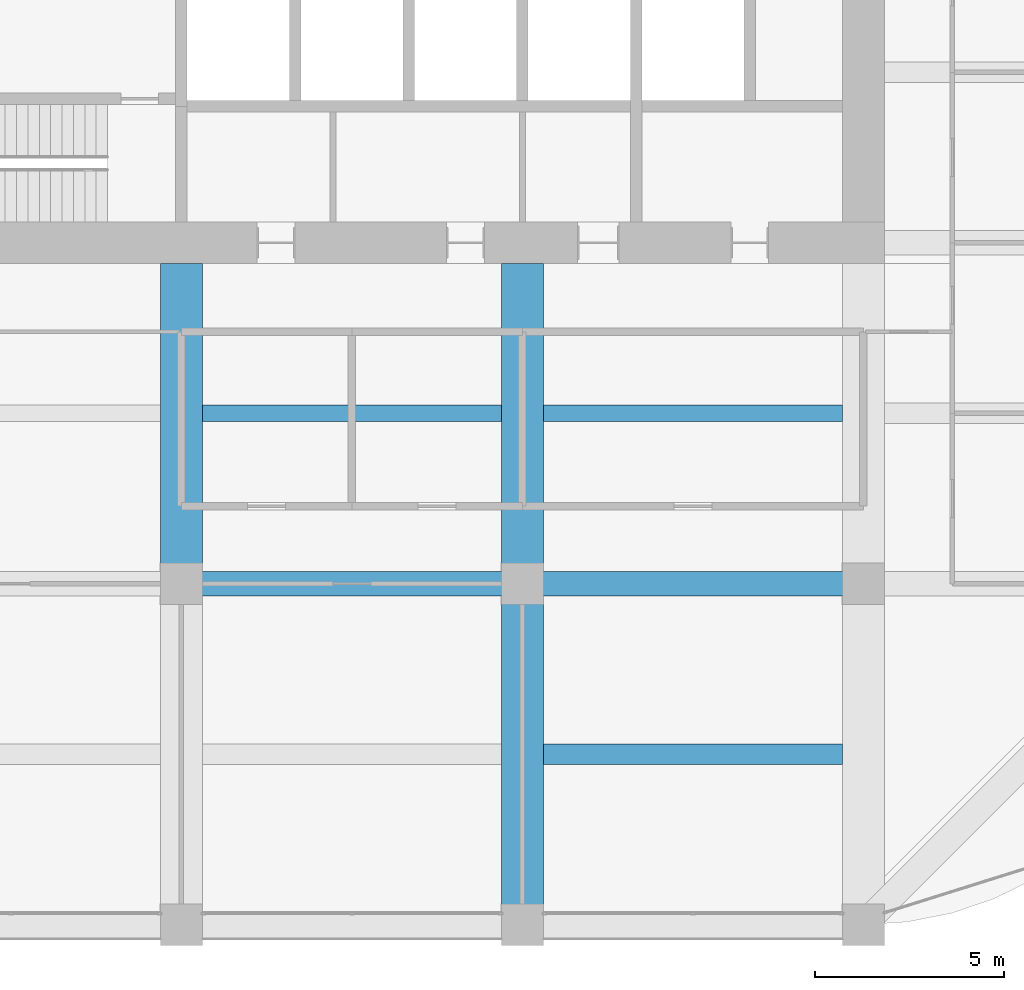
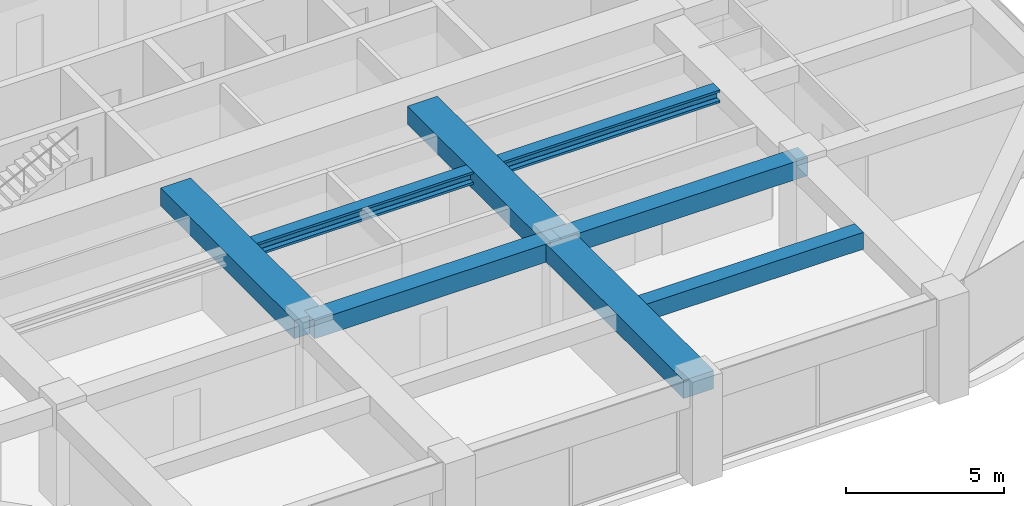
# One storey, part 12 of 44: 8 beams.
"""IFC4 building model written with IfcOpenShell, lengths in metres."""

from ifc_helpers import new_model, si_unit, direction, frame, origin, origin_2d, place, context, subcontext, project, spatial, rectangle, i_section, extrude, material, material_profile, profile_set, type_object, element, save


model = new_model("IFC4")

# Units and contexts
model_context = context("Model", 3, precision=1e-05, world=origin(), true_north=direction((0.0, 1.0)))
body_context = subcontext(model_context, "Body", "Model", "MODEL_VIEW")
ifc_project = project(units=[si_unit("LENGTHUNIT", "METRE"), si_unit("AREAUNIT", "SQUARE_METRE"), si_unit("VOLUMEUNIT", "CUBIC_METRE"), si_unit("PLANEANGLEUNIT", "RADIAN"), si_unit("MASSUNIT", "GRAM", prefix="KILO")], contexts=[model_context])

# Site, building, storey
site_placement = place(None, origin())
site = spatial("IfcSite", under=ifc_project, at=site_placement, CompositionType="ELEMENT")
building_placement = place(site_placement, origin())
building = spatial("IfcBuilding", under=site, at=building_placement, Name="Zorevar Civic Tower", CompositionType="ELEMENT")
storey_placement = place(building_placement, frame((0.0, 0.0, 263.39990234375)))
storey = spatial("IfcBuildingStorey", under=building, at=storey_placement, Name="L64", CompositionType="ELEMENT", Elevation=263.39990234375)

# Beams
ifc_material_1 = material(Name="Concrete C50/60", Category="concrete")
ifc_material_profile_1 = material_profile(ifc_material_1, rectangle(XDim=1.10009765625, YDim=0.699951171875, at=origin_2d()), Name="RC 1100x700")
ifc_profile_set_1 = profile_set([ifc_material_profile_1], Name="Concrete C50/60")
beam_type_1 = type_object("IfcBeamType", Name="Beam RC 1100x700", PredefinedType="BEAM", material=ifc_profile_set_1)
beam_1_placement = place(storey_placement, frame((27.0, 9.0, 3.400146484375), z_axis=(0.0, 1.0, 0.0), x_axis=(-1.0, 0.0, 0.0)))
element("IfcBeam", 1, at=beam_1_placement, inside=storey, type_object=beam_type_1, Name="Girder L65", PredefinedType="BEAM", context=body_context, shape_type="SweptSolid", body=[
    extrude(rectangle(XDim=1.10009765625, YDim=0.699951171875, at=origin_2d()), origin(), (0.0, 0.0, 1.0), 8.449951171875),
])
beam_2_placement = place(storey_placement, frame((36.0, 0.0, 3.400146484375), z_axis=(0.0, 1.0, 0.0), x_axis=(-1.0, 0.0, 0.0)))
element("IfcBeam", 2, at=beam_2_placement, inside=storey, type_object=beam_type_1, Name="Girder L65", PredefinedType="BEAM", context=body_context, shape_type="SweptSolid", body=[
    extrude(rectangle(XDim=1.10009765625, YDim=0.699951171875, at=origin_2d()), origin(), (0.0, 0.0, 1.0), 9.0),
])
beam_3_placement = place(storey_placement, frame((36.0, 9.0, 3.400146484375), z_axis=(0.0, 1.0, 0.0), x_axis=(-1.0, 0.0, 0.0)))
element("IfcBeam", 3, at=beam_3_placement, inside=storey, type_object=beam_type_1, Name="Girder L65", PredefinedType="BEAM", context=body_context, shape_type="SweptSolid", body=[
    extrude(rectangle(XDim=1.10009765625, YDim=0.699951171875, at=origin_2d()), origin(), (0.0, 0.0, 1.0), 8.449951171875),
])
ifc_material_2 = material(Name="Concrete C50/60", Category="concrete")
ifc_material_profile_2 = material_profile(ifc_material_2, rectangle(XDim=0.550048828125, YDim=0.64990234375, at=origin_2d()), Name="RC 550x650")
ifc_profile_set_2 = profile_set([ifc_material_profile_2], Name="Concrete C50/60")
beam_type_2 = type_object("IfcBeamType", Name="Beam RC 550x650", PredefinedType="BEAM", material=ifc_profile_set_2)
beam_4_placement = place(storey_placement, frame((36.550048828125, 4.5, 3.425048828125), z_axis=(1.0, 0.0, 0.0), x_axis=(0.0, 1.0, 0.0)))
element("IfcBeam", 4, at=beam_4_placement, inside=storey, type_object=beam_type_2, Name="Secondary beam L65", PredefinedType="BEAM", context=body_context, shape_type="SweptSolid", body=[
    extrude(rectangle(XDim=0.550048828125, YDim=0.64990234375, at=origin_2d()), origin(), (0.0, 0.0, 1.0), 7.89990234375),
])
ifc_material_3 = material(Name="Concrete C50/60", Category="concrete")
ifc_material_profile_3 = material_profile(ifc_material_3, rectangle(XDim=0.64990234375, YDim=0.699951171875, at=origin_2d()), Name="RC 650x700")
ifc_profile_set_3 = profile_set([ifc_material_profile_3], Name="Concrete C50/60")
beam_type_3 = type_object("IfcBeamType", Name="Beam RC 650x700", PredefinedType="BEAM", material=ifc_profile_set_3)
for number, where, z_axis, x_axis, name in (
    (5, (27.0, 9.0, 3.400146484375), (1.0, 0.0, 0.0), (0.0, 1.0, 0.0), "Girder L65"),
    (6, (36.0, 9.0, 3.400146484375), (1.0, 0.0, 0.0), (0.0, 1.0, 0.0), "Girder L65"),
):
    element("IfcBeam", number, at=place(storey_placement, frame(where, z_axis=z_axis, x_axis=x_axis)), inside=storey, type_object=beam_type_3, Name=name, PredefinedType="BEAM", context=body_context, shape_type="SweptSolid", body=[
        extrude(rectangle(XDim=0.64990234375, YDim=0.699951171875, at=origin_2d()), origin(), (0.0, 0.0, 1.0), 9.0),
    ])
ifc_material_4 = material(Name="Steel S460M (HISTAR 460)", Category="steel")
ifc_material_profile_4 = material_profile(ifc_material_4, i_section(OverallWidth=0.431884765625, OverallDepth=0.498046875, WebThickness=0.0556640625, FlangeThickness=0.0888671875, FilletRadius=0.014892578125, at=origin_2d()), Name="HD 400x744")
ifc_profile_set_4 = profile_set([ifc_material_profile_4], Name="Steel S460M (HISTAR 460)")
beam_type_4 = type_object("IfcBeamType", Name="Core bay beam HD 400x744", PredefinedType="BEAM", material=ifc_profile_set_4)
for number, where, z_axis, x_axis, name in (
    (7, (27.550048828125, 13.5, 3.5009765625), (1.0, 0.0, 0.0), (0.0, 1.0, 0.0), "Secondary beam L65"),
    (8, (36.550048828125, 13.5, 3.5009765625), (1.0, 0.0, 0.0), (0.0, 1.0, 0.0), "Secondary beam L65"),
):
    element("IfcBeam", number, at=place(storey_placement, frame(where, z_axis=z_axis, x_axis=x_axis)), inside=storey, type_object=beam_type_4, Name=name, PredefinedType="BEAM", context=body_context, shape_type="SweptSolid", body=[
        extrude(i_section(OverallWidth=0.431884765625, OverallDepth=0.498046875, WebThickness=0.0556640625, FlangeThickness=0.0888671875, FilletRadius=0.014892578125, at=origin_2d()), origin(), (0.0, 0.0, 1.0), 7.89990234375),
    ])

save(model, "model.ifc")
